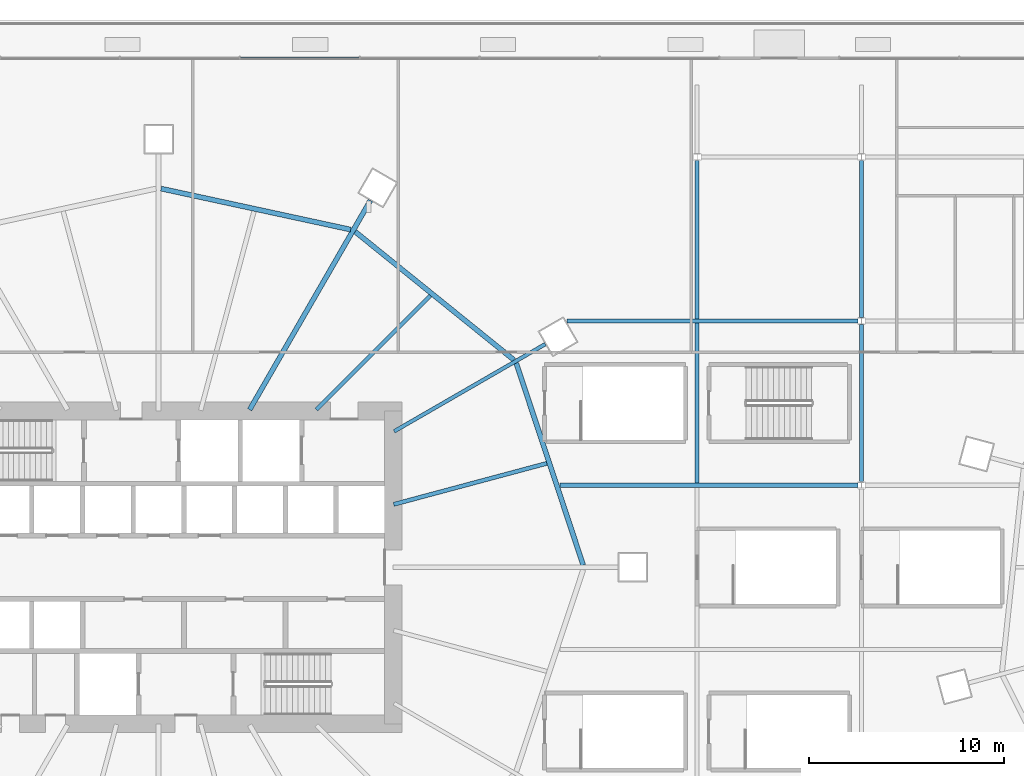
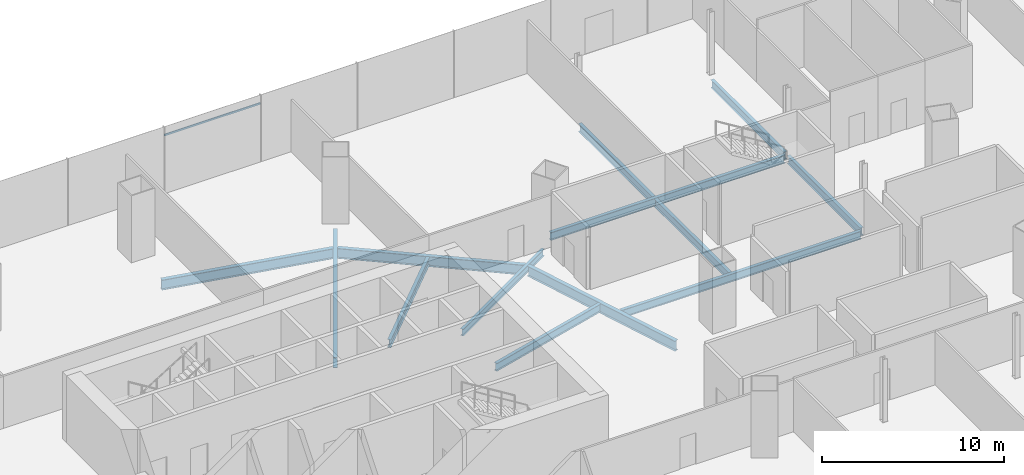
# One storey, part 18 of 49: 13 beams, 1 member, 1 element without a shape of its own.
"""IFC4 building model written with IfcOpenShell, lengths in metres."""

from ifc_helpers import new_model, si_unit, direction, frame, origin, origin_2d, place, context, subcontext, project, spatial, rectangle, i_section, extrude, material, material_profile, profile_set, type_object, element, aggregate, save


model = new_model("IFC4")

# Units and contexts
model_context = context("Model", 3, precision=1e-05, world=origin(), true_north=direction((0.0, 1.0)))
body_context = subcontext(model_context, "Body", "Model", "MODEL_VIEW")
ifc_project = project(units=[si_unit("LENGTHUNIT", "METRE"), si_unit("AREAUNIT", "SQUARE_METRE"), si_unit("VOLUMEUNIT", "CUBIC_METRE"), si_unit("PLANEANGLEUNIT", "RADIAN"), si_unit("MASSUNIT", "GRAM", prefix="KILO")], contexts=[model_context])

# Site, building, storey
site_placement = place(None, origin())
site = spatial("IfcSite", under=ifc_project, at=site_placement, CompositionType="ELEMENT")
building_placement = place(site_placement, origin())
building = spatial("IfcBuilding", under=site, at=building_placement, Name="Rimbun Link Towers", CompositionType="ELEMENT")
storey_placement = place(building_placement, frame((0.0, 0.0, 25.5)))
storey = spatial("IfcBuildingStorey", under=building, at=storey_placement, Name="L05", CompositionType="ELEMENT", Elevation=25.5)

# Curtain wall, member
ifc_material_1 = material(Name="Aluminium 6063-T6 and low-iron glass", Category="aluminium")
curtain_wall_type = type_object("IfcCurtainWallType", Name="CW3 podium shopfront", PredefinedType="NOTDEFINED", material=ifc_material_1)
curtain_wall_placement = place(storey_placement, origin())
curtain_wall = element("IfcCurtainWall", 1, at=curtain_wall_placement, inside=storey, type_object=curtain_wall_type, Name="CW3 L05 PD", PredefinedType="NOTDEFINED")
ifc_material_2 = material(Name="Aluminium 6063-T6", Category="aluminium")
ifc_material_profile_1 = material_profile(ifc_material_2, rectangle(XDim=0.06005859375, YDim=0.1201171875, at=origin_2d()), Name="TRANSOM 60X120")
ifc_profile_set_1 = profile_set([ifc_material_profile_1], Name="Aluminium 6063-T6")
member_type = type_object("IfcMemberType", Name="CW3 transom 60X120", PredefinedType="USERDEFINED", material=ifc_profile_set_1)
member_placement = place(storey_placement, frame((-27.570068359375, 26.053955078125, 3.89990234375), z_axis=(1.0, 0.0, 0.0), x_axis=(0.0, 1.0, 0.0)))
member = element("IfcMember", 2, at=member_placement, type_object=member_type, Name="CW3 transom", ObjectType="TRANSOM", PredefinedType="USERDEFINED", context=body_context, shape_type="SweptSolid", body=[
    extrude(rectangle(XDim=0.06005859375, YDim=0.1201171875, at=origin_2d()), origin(), (0.0, 0.0, 1.0), 6.073486328125),
])
aggregate(curtain_wall, [member])

# Beams
ifc_material_3 = material(Name="Steel S355J2", Category="steel")
ifc_material_profile_2 = material_profile(ifc_material_3, i_section(OverallWidth=0.18994140625, OverallDepth=0.453369140625, WebThickness=0.008544921875, FlangeThickness=0.0126953125, at=origin_2d()), Name="UB 457x191x67")
ifc_profile_set_2 = profile_set([ifc_material_profile_2], Name="Steel S355J2")
beam_type_1 = type_object("IfcBeamType", Name="UB 457x191x67", PredefinedType="BEAM", material=ifc_profile_set_2)
beam_1_placement = place(storey_placement, frame((-19.70166015625, 6.9560546875, -0.526611328125), z_axis=(0.866022633403, 0.500004798411, 0.0), x_axis=(-0.500004798411, 0.866022633403, 0.0)))
element("IfcBeam", 3, at=beam_1_placement, inside=storey, type_object=beam_type_1, Name="Radial beam T1 L05 02", PredefinedType="BEAM", context=body_context, shape_type="SweptSolid", body=[
    extrude(i_section(OverallWidth=0.18994140625, OverallDepth=0.453369140625, WebThickness=0.008544921875, FlangeThickness=0.0126953125, at=origin_2d()), origin(), (0.0, 0.0, 1.0), 8.93212890625),
])
ifc_material_4 = material(Name="Steel S355J2", Category="steel")
ifc_material_profile_3 = material_profile(ifc_material_4, i_section(OverallWidth=0.209228515625, OverallDepth=0.533203125, WebThickness=0.010009765625, FlangeThickness=0.015625, at=origin_2d()), Name="UB 533x210x92")
ifc_profile_set_3 = profile_set([ifc_material_profile_3], Name="Steel S355J2")
beam_type_2 = type_object("IfcBeamType", Name="UB 533x210x92", PredefinedType="BEAM", material=ifc_profile_set_3)
beam_2_placement = place(storey_placement, frame((-19.721923828125, 3.222900390625, -0.56640625), z_axis=(0.965927890386, 0.258811341663, 0.0), x_axis=(-0.258811341663, 0.965927890386, 0.0)))
element("IfcBeam", 4, at=beam_2_placement, inside=storey, type_object=beam_type_2, Name="Radial beam T1 L05 01", PredefinedType="BEAM", context=body_context, shape_type="SweptSolid", body=[
    extrude(i_section(OverallWidth=0.209228515625, OverallDepth=0.533203125, WebThickness=0.010009765625, FlangeThickness=0.015625, at=origin_2d()), origin(), (0.0, 0.0, 1.0), 8.10791015625),
])
beam_3_placement = place(storey_placement, frame((-23.67529296875, 8.07470703125, -0.56640625), z_axis=(0.707106781187, 0.707106781187, 0.0), x_axis=(-0.707106781187, 0.707106781187, 0.0)))
element("IfcBeam", 5, at=beam_3_placement, inside=storey, type_object=beam_type_2, Name="Radial beam T1 L05 03", PredefinedType="BEAM", context=body_context, shape_type="SweptSolid", body=[
    extrude(i_section(OverallWidth=0.209228515625, OverallDepth=0.533203125, WebThickness=0.010009765625, FlangeThickness=0.015625, at=origin_2d()), origin(), (0.0, 0.0, 1.0), 8.239501953125),
])
beam_4_placement = place(storey_placement, frame((-11.214599609375, 4.199951171875, -0.56640625), z_axis=(1.0, 0.0, 0.0), x_axis=(0.0, 1.0, 0.0)))
element("IfcBeam", 6, at=beam_4_placement, inside=storey, type_object=beam_type_2, Name="Grid beam L05 +4.2", PredefinedType="BEAM", context=body_context, shape_type="SweptSolid", body=[
    extrude(i_section(OverallWidth=0.209228515625, OverallDepth=0.533203125, WebThickness=0.010009765625, FlangeThickness=0.015625, at=origin_2d()), origin(), (0.0, 0.0, 1.0), 15.2294921875),
])
beam_5_placement = place(storey_placement, frame((-10.846923828125, 12.60009765625, -0.56640625), z_axis=(1.0, 0.0, 0.0), x_axis=(0.0, 1.0, 0.0)))
element("IfcBeam", 7, at=beam_5_placement, inside=storey, type_object=beam_type_2, Name="Grid beam L05 +12.6", PredefinedType="BEAM", context=body_context, shape_type="SweptSolid", body=[
    extrude(i_section(OverallWidth=0.209228515625, OverallDepth=0.533203125, WebThickness=0.010009765625, FlangeThickness=0.015625, at=origin_2d()), origin(), (0.0, 0.0, 1.0), 14.86181640625),
])
beam_6_placement = place(storey_placement, frame((-4.199951171875, 4.3046875, -0.56640625), z_axis=(0.0, 1.0, 0.0), x_axis=(-1.0, 0.0, 0.0)))
element("IfcBeam", 8, at=beam_6_placement, inside=storey, type_object=beam_type_2, Name="Grid beam L05 -4.2", PredefinedType="BEAM", context=body_context, shape_type="SweptSolid", body=[
    extrude(i_section(OverallWidth=0.209228515625, OverallDepth=0.533203125, WebThickness=0.010009765625, FlangeThickness=0.015625, at=origin_2d()), origin(), (0.0, 0.0, 1.0), 8.190673828125),
])
beam_7_placement = place(storey_placement, frame((-4.199951171875, 12.70458984375, -0.56640625), z_axis=(0.0, 1.0, 0.0), x_axis=(-1.0, 0.0, 0.0)))
element("IfcBeam", 9, at=beam_7_placement, inside=storey, type_object=beam_type_2, Name="Grid beam L05 -4.2", PredefinedType="BEAM", context=body_context, shape_type="SweptSolid", body=[
    extrude(i_section(OverallWidth=0.209228515625, OverallDepth=0.533203125, WebThickness=0.010009765625, FlangeThickness=0.015625, at=origin_2d()), origin(), (0.0, 0.0, 1.0), 8.114501953125),
])
beam_8_placement = place(storey_placement, frame((4.199951171875, 4.381103515625, -0.56640625), z_axis=(0.0, 1.0, 0.0), x_axis=(-1.0, 0.0, 0.0)))
element("IfcBeam", 10, at=beam_8_placement, inside=storey, type_object=beam_type_2, Name="Grid beam L05 +4.2", PredefinedType="BEAM", context=body_context, shape_type="SweptSolid", body=[
    extrude(i_section(OverallWidth=0.209228515625, OverallDepth=0.533203125, WebThickness=0.010009765625, FlangeThickness=0.015625, at=origin_2d()), origin(), (0.0, 0.0, 1.0), 8.037841796875),
])
beam_9_placement = place(storey_placement, frame((4.199951171875, 12.781005859375, -0.56640625), z_axis=(0.0, 1.0, 0.0), x_axis=(-1.0, 0.0, 0.0)))
element("IfcBeam", 11, at=beam_9_placement, inside=storey, type_object=beam_type_2, Name="Grid beam L05 +4.2", PredefinedType="BEAM", context=body_context, shape_type="SweptSolid", body=[
    extrude(i_section(OverallWidth=0.209228515625, OverallDepth=0.533203125, WebThickness=0.010009765625, FlangeThickness=0.015625, at=origin_2d()), origin(), (0.0, 0.0, 1.0), 8.0380859375),
])
ifc_material_5 = material(Name="Steel S355J2", Category="steel")
ifc_material_profile_4 = material_profile(ifc_material_5, i_section(OverallWidth=0.253662109375, OverallDepth=0.68359375, WebThickness=0.012451171875, FlangeThickness=0.01904296875, at=origin_2d()), Name="UB 686x254x140")
ifc_profile_set_4 = profile_set([ifc_material_profile_4], Name="Steel S355J2")
beam_type_3 = type_object("IfcBeamType", Name="UB 686x254x140", PredefinedType="BEAM", material=ifc_profile_set_4)
beam_10_placement = place(storey_placement, frame((-27.093994140625, 8.064208984375, -0.641845703125), z_axis=(0.499992594562, 0.866029679274, 0.0), x_axis=(-0.866029679274, 0.499992594562, 0.0)))
element("IfcBeam", 12, at=beam_10_placement, inside=storey, type_object=beam_type_3, Name="Radial beam T1 L05 04", PredefinedType="BEAM", context=body_context, shape_type="SweptSolid", body=[
    extrude(i_section(OverallWidth=0.253662109375, OverallDepth=0.68359375, WebThickness=0.012451171875, FlangeThickness=0.01904296875, at=origin_2d()), origin(), (0.0, 0.0, 1.0), 12.360595703125),
])
beam_11_placement = place(storey_placement, frame((-10.02880859375, 0.11474609375, -0.641845703125), z_axis=(-0.314841882336, 0.949144135064, 0.0), x_axis=(-0.949144135064, -0.314841882336, 0.0)))
element("IfcBeam", 13, at=beam_11_placement, inside=storey, type_object=beam_type_3, Name="Edge beam T1 L05 00-02", PredefinedType="BEAM", context=body_context, shape_type="SweptSolid", body=[
    extrude(i_section(OverallWidth=0.253662109375, OverallDepth=0.68359375, WebThickness=0.012451171875, FlangeThickness=0.01904296875, at=origin_2d()), origin(), (0.0, 0.0, 1.0), 10.889404296875),
])
beam_12_placement = place(storey_placement, frame((-13.568115234375, 10.60791015625, -0.641845703125), z_axis=(-0.778006680284, 0.628256003102, 0.0), x_axis=(-0.628256003102, -0.778006680284, 0.0)))
element("IfcBeam", 14, at=beam_12_placement, inside=storey, type_object=beam_type_3, Name="Edge beam T1 L05 02-04", PredefinedType="BEAM", context=body_context, shape_type="SweptSolid", body=[
    extrude(i_section(OverallWidth=0.253662109375, OverallDepth=0.68359375, WebThickness=0.012451171875, FlangeThickness=0.01904296875, at=origin_2d()), origin(), (0.0, 0.0, 1.0), 10.4404296875),
])
beam_13_placement = place(storey_placement, frame((-21.922607421875, 17.27685546875, -0.641845703125), z_axis=(-0.977390124833, 0.211443949734, 0.0), x_axis=(-0.211443949734, -0.977390124833, 0.0)))
element("IfcBeam", 15, at=beam_13_placement, inside=storey, type_object=beam_type_3, Name="Edge beam T1 L05 04-06", PredefinedType="BEAM", context=body_context, shape_type="SweptSolid", body=[
    extrude(i_section(OverallWidth=0.253662109375, OverallDepth=0.68359375, WebThickness=0.012451171875, FlangeThickness=0.01904296875, at=origin_2d()), origin(), (0.0, 0.0, 1.0), 9.924072265625),
])

save(model, "model.ifc")
